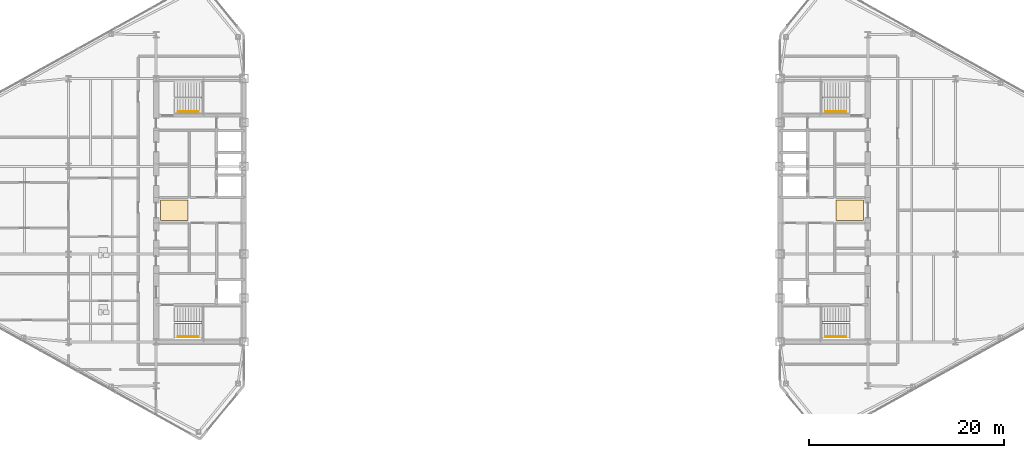
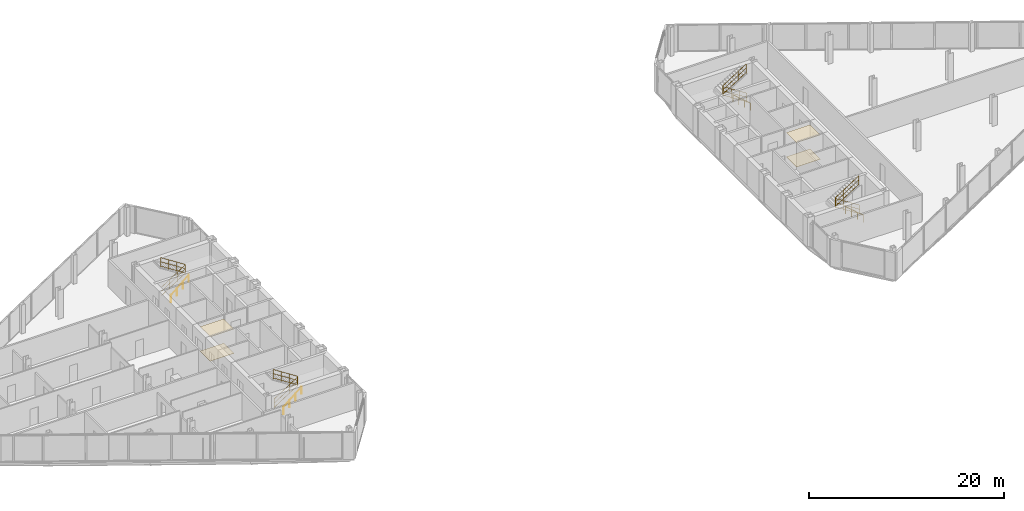
# One storey, part 25 of 26: 8 railings, 4 coverings.
"""IFC4 building model written with IfcOpenShell, lengths in metres."""

from ifc_helpers import new_model, si_unit, direction, frame, origin, origin_2d, place, context, subcontext, project, spatial, polyline, circle, outline, extrude, material, layer, layer_set, type_object, element, save


model = new_model("IFC4")

# Units and contexts
model_context = context("Model", 3, precision=1e-05, world=origin(), true_north=direction((0.0, 1.0)))
body_context = subcontext(model_context, "Body", "Model", "MODEL_VIEW")
ifc_project = project(units=[si_unit("LENGTHUNIT", "METRE"), si_unit("AREAUNIT", "SQUARE_METRE"), si_unit("VOLUMEUNIT", "CUBIC_METRE"), si_unit("PLANEANGLEUNIT", "RADIAN"), si_unit("MASSUNIT", "GRAM", prefix="KILO")], contexts=[model_context])

# Site, building, storey
site_placement = place(None, origin())
site = spatial("IfcSite", under=ifc_project, at=site_placement, CompositionType="ELEMENT")
building_placement = place(site_placement, origin())
building = spatial("IfcBuilding", under=site, at=building_placement, Name="Seokmaru Belvedere", CompositionType="ELEMENT")
storey_placement = place(building_placement, frame((0.0, 0.0, 181.5)))
storey = spatial("IfcBuildingStorey", under=building, at=storey_placement, Name="L48", CompositionType="ELEMENT", Elevation=181.5)

# Coverings
ifc_material_1 = material(Name="Engineered White Oak Timber", Category="wood")
ifc_layer_1 = layer(ifc_material_1, 0.02197265625)
ifc_layer_set_1 = layer_set([ifc_layer_1], Name="Engineered White Oak Timber")
covering_type_1 = type_object("IfcCoveringType", Name="Engineered Oak Residence Floor Finish 22", PredefinedType="FLOORING", material=ifc_layer_set_1)
covering_1_placement = place(storey_placement, origin())
element("IfcCovering", 1, at=covering_1_placement, inside=storey, type_object=covering_type_1, Name="L48 W Foyer Floor Finish", PredefinedType="FLOORING", context=body_context, shape_type="SweptSolid", body=[
    extrude(outline(polyline([(-36.050048828125, -1.050048828125), (-33.25, -1.050048828125), (-33.25, 1.050048828125), (-36.050048828125, 1.050048828125), (-36.050048828125, -1.050048828125)])), origin(), (0.0, 0.0, 1.0), 0.02197265625),
])
covering_2_placement = place(storey_placement, origin())
element("IfcCovering", 2, at=covering_2_placement, inside=storey, type_object=covering_type_1, Name="L48 E Foyer Floor Finish", PredefinedType="FLOORING", context=body_context, shape_type="SweptSolid", body=[
    extrude(outline(polyline([(33.25, -1.050048828125), (36.050048828125, -1.050048828125), (36.050048828125, 1.050048828125), (33.25, 1.050048828125), (33.25, -1.050048828125)])), origin(), (0.0, 0.0, 1.0), 0.02197265625),
])
ifc_material_2 = material(Name="Fire-Rated Gypsum Shaftwall")
ifc_layer_2 = layer(ifc_material_2, 0.02490234375)
ifc_layer_set_2 = layer_set([ifc_layer_2], Name="Fire-Rated Gypsum Shaftwall")
covering_type_2 = type_object("IfcCoveringType", Name="Perforated Acoustic Gypsum Suspended Ceiling 25", PredefinedType="CEILING", material=ifc_layer_set_2)
covering_3_placement = place(storey_placement, frame((0.0, 0.0, 3.030029296875)))
element("IfcCovering", 3, at=covering_3_placement, inside=storey, type_object=covering_type_2, Name="L48 W Lift Foyer Acoustic Ceiling", PredefinedType="CEILING", context=body_context, shape_type="SweptSolid", body=[
    extrude(outline(polyline([(-36.050048828125, -1.050048828125), (-33.25, -1.050048828125), (-33.25, 1.050048828125), (-36.050048828125, 1.050048828125), (-36.050048828125, -1.050048828125)])), origin(), (0.0, 0.0, 1.0), 0.02490234375),
])
covering_4_placement = place(storey_placement, frame((0.0, 0.0, 3.030029296875)))
element("IfcCovering", 4, at=covering_4_placement, inside=storey, type_object=covering_type_2, Name="L48 E Lift Foyer Acoustic Ceiling", PredefinedType="CEILING", context=body_context, shape_type="SweptSolid", body=[
    extrude(outline(polyline([(33.25, -1.050048828125), (36.050048828125, -1.050048828125), (36.050048828125, 1.050048828125), (33.25, 1.050048828125), (33.25, -1.050048828125)])), origin(), (0.0, 0.0, 1.0), 0.02490234375),
])

# Railings
ifc_material_3 = material(Name="Stainless Steel 316", Category="steel")
railing_type_1 = type_object("IfcRailingType", Name="Stainless Steel Wall and Flight Handrail 900", PredefinedType="HANDRAIL", material=ifc_material_3)
for number, where, name in (
    (5, (-34.25, -12.949951171875, 0.0), "L48 Stair ST-W1 Wall Handrail"),
    (6, (-34.25, 10.110107421875, 0.0), "L48 Stair ST-W2 Wall Handrail"),
):
    element("IfcRailing", number, at=place(storey_placement, frame(where)), inside=storey, type_object=railing_type_1, Name=name, PredefinedType="HANDRAIL", context=body_context, shape_type="SweptSolid", body=[
        extrude(circle(Radius=0.02392578125, at=origin_2d()), frame((0.0, 0.0, 0.8759765625), z_axis=(0.759262832861, 0.0, 0.650784104474), x_axis=(0.0, 1.0, 0.0)), (0.0, 0.0, 1.0), 2.765869140625),
        extrude(circle(Radius=0.02099609375, at=origin_2d()), origin(), (0.0, 0.0, 1.0), 0.851806640625),
        extrude(circle(Radius=0.02099609375, at=origin_2d()), frame((0.699951171875, 0.0, 0.60009765625)), (0.0, 0.0, 1.0), 0.851806640625),
        extrude(circle(Radius=0.02099609375, at=origin_2d()), frame((1.400146484375, 0.0, 1.199951171875)), (0.0, 0.0, 1.0), 0.851806640625),
        extrude(circle(Radius=0.02099609375, at=origin_2d()), frame((2.10009765625, 0.0, 1.800048828125)), (0.0, 0.0, 1.0), 0.851806640625),
    ])
for number, where, name in (
    (7, (34.25, -12.949951171875, 0.0), "L48 Stair ST-E1 Wall Handrail"),
    (8, (34.25, 10.110107421875, 0.0), "L48 Stair ST-E2 Wall Handrail"),
):
    element("IfcRailing", number, at=place(storey_placement, frame(where)), inside=storey, type_object=railing_type_1, Name=name, PredefinedType="HANDRAIL", context=body_context, shape_type="SweptSolid", body=[
        extrude(circle(Radius=0.02392578125, at=origin_2d()), frame((0.0, 0.0, 0.8759765625), z_axis=(-0.759262832861, 0.0, 0.650784104474), x_axis=(0.0, -1.0, 0.0)), (0.0, 0.0, 1.0), 2.765869140625),
        extrude(circle(Radius=0.02099609375, at=origin_2d()), origin(), (0.0, 0.0, 1.0), 0.851806640625),
        extrude(circle(Radius=0.02099609375, at=origin_2d()), frame((-0.699951171875, 0.0, 0.60009765625)), (0.0, 0.0, 1.0), 0.851806640625),
        extrude(circle(Radius=0.02099609375, at=origin_2d()), frame((-1.400146484375, 0.0, 1.199951171875)), (0.0, 0.0, 1.0), 0.851806640625),
        extrude(circle(Radius=0.02099609375, at=origin_2d()), frame((-2.10009765625, 0.0, 1.800048828125)), (0.0, 0.0, 1.0), 0.851806640625),
    ])
railing_type_2 = type_object("IfcRailingType", Name="Stair Well and Atrium Steel Guardrail 1200", PredefinedType="GUARDRAIL", material=ifc_material_3)
railing_1_placement = place(storey_placement, frame((-34.60009765625, -11.60009765625, 0.0)))
element("IfcRailing", 9, at=railing_1_placement, inside=storey, type_object=railing_type_2, Name="L48 Stair ST-W1 Inner Well Guardrail", PredefinedType="GUARDRAIL", context=body_context, shape_type="SweptSolid", body=[
    extrude(circle(Radius=0.02392578125, at=origin_2d()), frame((0.0, 0.0, 1.17578125), z_axis=(0.841176092368, 0.0, 0.540761298198), x_axis=(0.0, 1.0, 0.0)), (0.0, 0.0, 1.0), 3.32861328125),
    extrude(circle(Radius=0.02392578125, at=origin_2d()), frame((0.0, 0.0, 0.1201171875), z_axis=(0.841176092368, 0.0, 0.540761298198), x_axis=(0.0, 1.0, 0.0)), (0.0, 0.0, 1.0), 3.32861328125),
    extrude(circle(Radius=0.02392578125, at=origin_2d()), frame((0.0, 0.0, 0.659912109375), z_axis=(0.841176092368, 0.0, 0.540761298198), x_axis=(0.0, 1.0, 0.0)), (0.0, 0.0, 1.0), 3.32861328125),
    extrude(circle(Radius=0.02392578125, at=origin_2d()), frame((2.800048828125, 0.0, 2.97607421875), z_axis=(0.0, 1.0, 0.0), x_axis=(-1.0, 0.0, 0.0)), (0.0, 0.0, 1.0), 0.14013671875),
    extrude(circle(Radius=0.02392578125, at=origin_2d()), frame((2.800048828125, 0.0, 1.920166015625), z_axis=(0.0, 1.0, 0.0), x_axis=(-1.0, 0.0, 0.0)), (0.0, 0.0, 1.0), 0.14013671875),
    extrude(circle(Radius=0.02392578125, at=origin_2d()), frame((2.800048828125, 0.0, 2.4599609375), z_axis=(0.0, 1.0, 0.0), x_axis=(-1.0, 0.0, 0.0)), (0.0, 0.0, 1.0), 0.14013671875),
    extrude(circle(Radius=0.02392578125, at=origin_2d()), frame((2.800048828125, 0.14013671875, 2.97607421875), z_axis=(-0.841176092368, 0.0, 0.540761298198), x_axis=(0.0, -1.0, 0.0)), (0.0, 0.0, 1.0), 3.32861328125),
    extrude(circle(Radius=0.02392578125, at=origin_2d()), frame((2.800048828125, 0.14013671875, 1.920166015625), z_axis=(-0.841176092368, 0.0, 0.540761298198), x_axis=(0.0, -1.0, 0.0)), (0.0, 0.0, 1.0), 3.32861328125),
    extrude(circle(Radius=0.02392578125, at=origin_2d()), frame((2.800048828125, 0.14013671875, 2.4599609375), z_axis=(-0.841176092368, 0.0, 0.540761298198), x_axis=(0.0, -1.0, 0.0)), (0.0, 0.0, 1.0), 3.32861328125),
    extrude(circle(Radius=0.02099609375, at=origin_2d()), origin(), (0.0, 0.0, 1.0), 1.15185546875),
    extrude(circle(Radius=0.02099609375, at=origin_2d()), frame((0.933349609375, 0.0, 0.60009765625)), (0.0, 0.0, 1.0), 1.15185546875),
    extrude(circle(Radius=0.02099609375, at=origin_2d()), frame((1.86669921875, 0.0, 1.199951171875)), (0.0, 0.0, 1.0), 1.15185546875),
    extrude(circle(Radius=0.02099609375, at=origin_2d()), frame((2.800048828125, 0.0, 1.800048828125)), (0.0, 0.0, 1.0), 1.15185546875),
    extrude(circle(Radius=0.02099609375, at=origin_2d()), frame((2.800048828125, 0.14013671875, 1.800048828125)), (0.0, 0.0, 1.0), 1.15185546875),
    extrude(circle(Radius=0.02099609375, at=origin_2d()), frame((1.86669921875, 0.14013671875, 2.400146484375)), (0.0, 0.0, 1.0), 1.15185546875),
    extrude(circle(Radius=0.02099609375, at=origin_2d()), frame((0.933349609375, 0.14013671875, 3.0)), (0.0, 0.0, 1.0), 1.15185546875),
    extrude(circle(Radius=0.02099609375, at=origin_2d()), frame((0.0, 0.14013671875, 3.60009765625)), (0.0, 0.0, 1.0), 1.15185546875),
])
railing_2_placement = place(storey_placement, frame((-34.60009765625, 11.4599609375, 0.0)))
element("IfcRailing", 10, at=railing_2_placement, inside=storey, type_object=railing_type_2, Name="L48 Stair ST-W2 Inner Well Guardrail", PredefinedType="GUARDRAIL", context=body_context, shape_type="SweptSolid", body=[
    extrude(circle(Radius=0.02392578125, at=origin_2d()), frame((0.0, 0.0, 1.17578125), z_axis=(0.841176092368, 0.0, 0.540761298198), x_axis=(0.0, 1.0, 0.0)), (0.0, 0.0, 1.0), 3.32861328125),
    extrude(circle(Radius=0.02392578125, at=origin_2d()), frame((0.0, 0.0, 0.1201171875), z_axis=(0.841176092368, 0.0, 0.540761298198), x_axis=(0.0, 1.0, 0.0)), (0.0, 0.0, 1.0), 3.32861328125),
    extrude(circle(Radius=0.02392578125, at=origin_2d()), frame((0.0, 0.0, 0.659912109375), z_axis=(0.841176092368, 0.0, 0.540761298198), x_axis=(0.0, 1.0, 0.0)), (0.0, 0.0, 1.0), 3.32861328125),
    extrude(circle(Radius=0.02392578125, at=origin_2d()), frame((2.800048828125, 0.0, 2.97607421875), z_axis=(0.0, 1.0, 0.0), x_axis=(-1.0, 0.0, 0.0)), (0.0, 0.0, 1.0), 0.14013671875),
    extrude(circle(Radius=0.02392578125, at=origin_2d()), frame((2.800048828125, 0.0, 1.920166015625), z_axis=(0.0, 1.0, 0.0), x_axis=(-1.0, 0.0, 0.0)), (0.0, 0.0, 1.0), 0.14013671875),
    extrude(circle(Radius=0.02392578125, at=origin_2d()), frame((2.800048828125, 0.0, 2.4599609375), z_axis=(0.0, 1.0, 0.0), x_axis=(-1.0, 0.0, 0.0)), (0.0, 0.0, 1.0), 0.14013671875),
    extrude(circle(Radius=0.02392578125, at=origin_2d()), frame((2.800048828125, 0.14013671875, 2.97607421875), z_axis=(-0.841176092368, 0.0, 0.540761298198), x_axis=(0.0, -1.0, 0.0)), (0.0, 0.0, 1.0), 3.32861328125),
    extrude(circle(Radius=0.02392578125, at=origin_2d()), frame((2.800048828125, 0.14013671875, 1.920166015625), z_axis=(-0.841176092368, 0.0, 0.540761298198), x_axis=(0.0, -1.0, 0.0)), (0.0, 0.0, 1.0), 3.32861328125),
    extrude(circle(Radius=0.02392578125, at=origin_2d()), frame((2.800048828125, 0.14013671875, 2.4599609375), z_axis=(-0.841176092368, 0.0, 0.540761298198), x_axis=(0.0, -1.0, 0.0)), (0.0, 0.0, 1.0), 3.32861328125),
    extrude(circle(Radius=0.02099609375, at=origin_2d()), origin(), (0.0, 0.0, 1.0), 1.15185546875),
    extrude(circle(Radius=0.02099609375, at=origin_2d()), frame((0.933349609375, 0.0, 0.60009765625)), (0.0, 0.0, 1.0), 1.15185546875),
    extrude(circle(Radius=0.02099609375, at=origin_2d()), frame((1.86669921875, 0.0, 1.199951171875)), (0.0, 0.0, 1.0), 1.15185546875),
    extrude(circle(Radius=0.02099609375, at=origin_2d()), frame((2.800048828125, 0.0, 1.800048828125)), (0.0, 0.0, 1.0), 1.15185546875),
    extrude(circle(Radius=0.02099609375, at=origin_2d()), frame((2.800048828125, 0.14013671875, 1.800048828125)), (0.0, 0.0, 1.0), 1.15185546875),
    extrude(circle(Radius=0.02099609375, at=origin_2d()), frame((1.86669921875, 0.14013671875, 2.400146484375)), (0.0, 0.0, 1.0), 1.15185546875),
    extrude(circle(Radius=0.02099609375, at=origin_2d()), frame((0.933349609375, 0.14013671875, 3.0)), (0.0, 0.0, 1.0), 1.15185546875),
    extrude(circle(Radius=0.02099609375, at=origin_2d()), frame((0.0, 0.14013671875, 3.60009765625)), (0.0, 0.0, 1.0), 1.15185546875),
])
railing_3_placement = place(storey_placement, frame((34.60009765625, -11.60009765625, 0.0)))
element("IfcRailing", 11, at=railing_3_placement, inside=storey, type_object=railing_type_2, Name="L48 Stair ST-E1 Inner Well Guardrail", PredefinedType="GUARDRAIL", context=body_context, shape_type="SweptSolid", body=[
    extrude(circle(Radius=0.02392578125, at=origin_2d()), frame((0.0, 0.0, 1.17578125), z_axis=(-0.841176092368, 0.0, 0.540761298198), x_axis=(0.0, -1.0, 0.0)), (0.0, 0.0, 1.0), 3.32861328125),
    extrude(circle(Radius=0.02392578125, at=origin_2d()), frame((0.0, 0.0, 0.1201171875), z_axis=(-0.841176092368, 0.0, 0.540761298198), x_axis=(0.0, -1.0, 0.0)), (0.0, 0.0, 1.0), 3.32861328125),
    extrude(circle(Radius=0.02392578125, at=origin_2d()), frame((0.0, 0.0, 0.659912109375), z_axis=(-0.841176092368, 0.0, 0.540761298198), x_axis=(0.0, -1.0, 0.0)), (0.0, 0.0, 1.0), 3.32861328125),
    extrude(circle(Radius=0.02392578125, at=origin_2d()), frame((-2.800048828125, 0.0, 2.97607421875), z_axis=(0.0, 1.0, 0.0), x_axis=(-1.0, 0.0, 0.0)), (0.0, 0.0, 1.0), 0.14013671875),
    extrude(circle(Radius=0.02392578125, at=origin_2d()), frame((-2.800048828125, 0.0, 1.920166015625), z_axis=(0.0, 1.0, 0.0), x_axis=(-1.0, 0.0, 0.0)), (0.0, 0.0, 1.0), 0.14013671875),
    extrude(circle(Radius=0.02392578125, at=origin_2d()), frame((-2.800048828125, 0.0, 2.4599609375), z_axis=(0.0, 1.0, 0.0), x_axis=(-1.0, 0.0, 0.0)), (0.0, 0.0, 1.0), 0.14013671875),
    extrude(circle(Radius=0.02392578125, at=origin_2d()), frame((-2.800048828125, 0.14013671875, 2.97607421875), z_axis=(0.841176092368, 0.0, 0.540761298198), x_axis=(0.0, 1.0, 0.0)), (0.0, 0.0, 1.0), 3.32861328125),
    extrude(circle(Radius=0.02392578125, at=origin_2d()), frame((-2.800048828125, 0.14013671875, 1.920166015625), z_axis=(0.841176092368, 0.0, 0.540761298198), x_axis=(0.0, 1.0, 0.0)), (0.0, 0.0, 1.0), 3.32861328125),
    extrude(circle(Radius=0.02392578125, at=origin_2d()), frame((-2.800048828125, 0.14013671875, 2.4599609375), z_axis=(0.841176092368, 0.0, 0.540761298198), x_axis=(0.0, 1.0, 0.0)), (0.0, 0.0, 1.0), 3.32861328125),
    extrude(circle(Radius=0.02099609375, at=origin_2d()), origin(), (0.0, 0.0, 1.0), 1.15185546875),
    extrude(circle(Radius=0.02099609375, at=origin_2d()), frame((-0.933349609375, 0.0, 0.60009765625)), (0.0, 0.0, 1.0), 1.15185546875),
    extrude(circle(Radius=0.02099609375, at=origin_2d()), frame((-1.86669921875, 0.0, 1.199951171875)), (0.0, 0.0, 1.0), 1.15185546875),
    extrude(circle(Radius=0.02099609375, at=origin_2d()), frame((-2.800048828125, 0.0, 1.800048828125)), (0.0, 0.0, 1.0), 1.15185546875),
    extrude(circle(Radius=0.02099609375, at=origin_2d()), frame((-2.800048828125, 0.14013671875, 1.800048828125)), (0.0, 0.0, 1.0), 1.15185546875),
    extrude(circle(Radius=0.02099609375, at=origin_2d()), frame((-1.86669921875, 0.14013671875, 2.400146484375)), (0.0, 0.0, 1.0), 1.15185546875),
    extrude(circle(Radius=0.02099609375, at=origin_2d()), frame((-0.933349609375, 0.14013671875, 3.0)), (0.0, 0.0, 1.0), 1.15185546875),
    extrude(circle(Radius=0.02099609375, at=origin_2d()), frame((0.0, 0.14013671875, 3.60009765625)), (0.0, 0.0, 1.0), 1.15185546875),
])
railing_4_placement = place(storey_placement, frame((34.60009765625, 11.4599609375, 0.0)))
element("IfcRailing", 12, at=railing_4_placement, inside=storey, type_object=railing_type_2, Name="L48 Stair ST-E2 Inner Well Guardrail", PredefinedType="GUARDRAIL", context=body_context, shape_type="SweptSolid", body=[
    extrude(circle(Radius=0.02392578125, at=origin_2d()), frame((0.0, 0.0, 1.17578125), z_axis=(-0.841176092368, 0.0, 0.540761298198), x_axis=(0.0, -1.0, 0.0)), (0.0, 0.0, 1.0), 3.32861328125),
    extrude(circle(Radius=0.02392578125, at=origin_2d()), frame((0.0, 0.0, 0.1201171875), z_axis=(-0.841176092368, 0.0, 0.540761298198), x_axis=(0.0, -1.0, 0.0)), (0.0, 0.0, 1.0), 3.32861328125),
    extrude(circle(Radius=0.02392578125, at=origin_2d()), frame((0.0, 0.0, 0.659912109375), z_axis=(-0.841176092368, 0.0, 0.540761298198), x_axis=(0.0, -1.0, 0.0)), (0.0, 0.0, 1.0), 3.32861328125),
    extrude(circle(Radius=0.02392578125, at=origin_2d()), frame((-2.800048828125, 0.0, 2.97607421875), z_axis=(0.0, 1.0, 0.0), x_axis=(-1.0, 0.0, 0.0)), (0.0, 0.0, 1.0), 0.14013671875),
    extrude(circle(Radius=0.02392578125, at=origin_2d()), frame((-2.800048828125, 0.0, 1.920166015625), z_axis=(0.0, 1.0, 0.0), x_axis=(-1.0, 0.0, 0.0)), (0.0, 0.0, 1.0), 0.14013671875),
    extrude(circle(Radius=0.02392578125, at=origin_2d()), frame((-2.800048828125, 0.0, 2.4599609375), z_axis=(0.0, 1.0, 0.0), x_axis=(-1.0, 0.0, 0.0)), (0.0, 0.0, 1.0), 0.14013671875),
    extrude(circle(Radius=0.02392578125, at=origin_2d()), frame((-2.800048828125, 0.14013671875, 2.97607421875), z_axis=(0.841176092368, 0.0, 0.540761298198), x_axis=(0.0, 1.0, 0.0)), (0.0, 0.0, 1.0), 3.32861328125),
    extrude(circle(Radius=0.02392578125, at=origin_2d()), frame((-2.800048828125, 0.14013671875, 1.920166015625), z_axis=(0.841176092368, 0.0, 0.540761298198), x_axis=(0.0, 1.0, 0.0)), (0.0, 0.0, 1.0), 3.32861328125),
    extrude(circle(Radius=0.02392578125, at=origin_2d()), frame((-2.800048828125, 0.14013671875, 2.4599609375), z_axis=(0.841176092368, 0.0, 0.540761298198), x_axis=(0.0, 1.0, 0.0)), (0.0, 0.0, 1.0), 3.32861328125),
    extrude(circle(Radius=0.02099609375, at=origin_2d()), origin(), (0.0, 0.0, 1.0), 1.15185546875),
    extrude(circle(Radius=0.02099609375, at=origin_2d()), frame((-0.933349609375, 0.0, 0.60009765625)), (0.0, 0.0, 1.0), 1.15185546875),
    extrude(circle(Radius=0.02099609375, at=origin_2d()), frame((-1.86669921875, 0.0, 1.199951171875)), (0.0, 0.0, 1.0), 1.15185546875),
    extrude(circle(Radius=0.02099609375, at=origin_2d()), frame((-2.800048828125, 0.0, 1.800048828125)), (0.0, 0.0, 1.0), 1.15185546875),
    extrude(circle(Radius=0.02099609375, at=origin_2d()), frame((-2.800048828125, 0.14013671875, 1.800048828125)), (0.0, 0.0, 1.0), 1.15185546875),
    extrude(circle(Radius=0.02099609375, at=origin_2d()), frame((-1.86669921875, 0.14013671875, 2.400146484375)), (0.0, 0.0, 1.0), 1.15185546875),
    extrude(circle(Radius=0.02099609375, at=origin_2d()), frame((-0.933349609375, 0.14013671875, 3.0)), (0.0, 0.0, 1.0), 1.15185546875),
    extrude(circle(Radius=0.02099609375, at=origin_2d()), frame((0.0, 0.14013671875, 3.60009765625)), (0.0, 0.0, 1.0), 1.15185546875),
])

save(model, "model.ifc")
